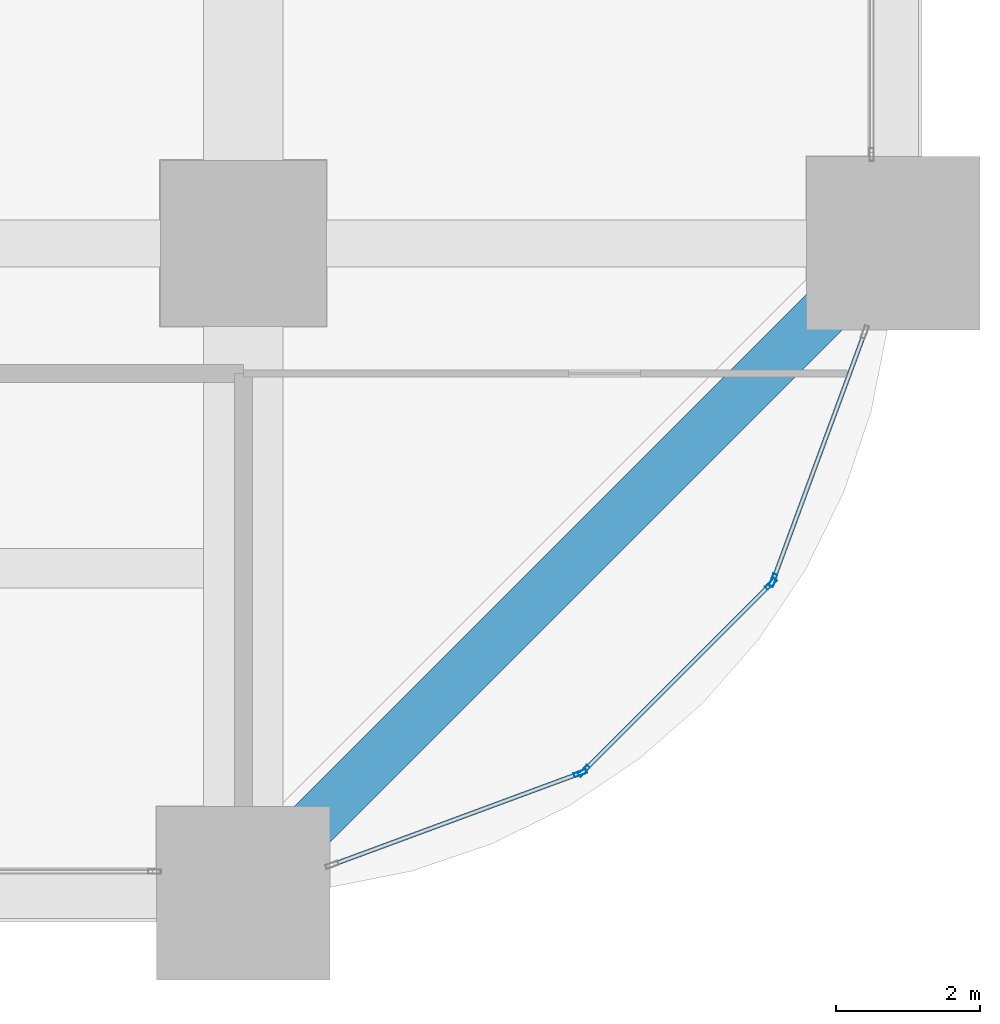
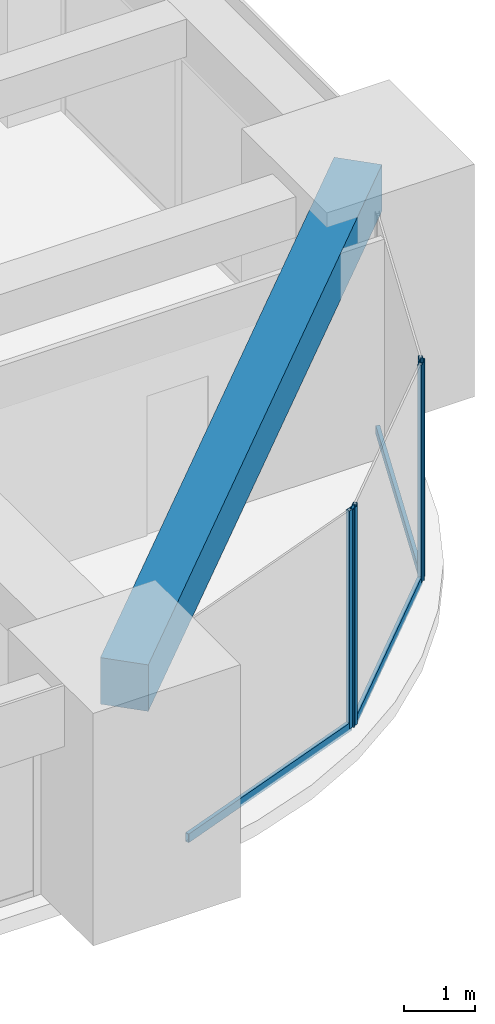
# One storey, part 16 of 44: 7 members, 1 beam, 3 elements without a shape of their own.
"""IFC4 building model written with IfcOpenShell, lengths in metres."""

from ifc_helpers import new_model, si_unit, direction, frame, origin, origin_2d, place, context, subcontext, project, spatial, rectangle, hollow_rectangle, extrude, material, material_profile, profile_set, type_object, element, aggregate, save


model = new_model("IFC4")

# Units and contexts
model_context = context("Model", 3, precision=1e-05, world=origin(), true_north=direction((0.0, 1.0)))
body_context = subcontext(model_context, "Body", "Model", "MODEL_VIEW")
ifc_project = project(units=[si_unit("LENGTHUNIT", "METRE"), si_unit("AREAUNIT", "SQUARE_METRE"), si_unit("VOLUMEUNIT", "CUBIC_METRE"), si_unit("PLANEANGLEUNIT", "RADIAN"), si_unit("MASSUNIT", "GRAM", prefix="KILO")], contexts=[model_context])

# Site, building, storey
site_placement = place(None, origin())
site = spatial("IfcSite", under=ifc_project, at=site_placement, CompositionType="ELEMENT")
building_placement = place(site_placement, origin())
building = spatial("IfcBuilding", under=site, at=building_placement, Name="Zorevar Civic Tower", CompositionType="ELEMENT")
storey_placement = place(building_placement, frame((0.0, 0.0, 35.800048828125)))
storey = spatial("IfcBuildingStorey", under=building, at=storey_placement, Name="L08", CompositionType="ELEMENT", Elevation=35.800048828125)

# Curtain wall, member
ifc_material_1 = material(Name="Dark grey solar-control glass in black aluminium frame", Category="aluminium")
curtain_wall_type = type_object("IfcCurtainWallType", Name="Curtain wall CW2 low zone", PredefinedType="NOTDEFINED", material=ifc_material_1)
curtain_wall_1_placement = place(storey_placement, origin())
curtain_wall_1 = element("IfcCurtainWall", 1, at=curtain_wall_1_placement, inside=storey, type_object=curtain_wall_type, Name="CW2 L08", PredefinedType="NOTDEFINED")
ifc_material_2 = material(Name="Aluminium, black anodised", Category="aluminium")
ifc_material_profile_1 = material_profile(ifc_material_2, hollow_rectangle(XDim=0.06005859375, YDim=0.179931640625, WallThickness=0.00390625, at=origin_2d()), Name="AL 180x60x4")
ifc_profile_set_1 = profile_set([ifc_material_profile_1], Name="Aluminium, black anodised")
member_type_1 = type_object("IfcMemberType", Name="CW2 mullion AL 180x60x4", PredefinedType="MULLION", material=ifc_profile_set_1)
member_1_placement = place(storey_placement, frame((58.66455078125, 1.663818359375, 0.0), z_axis=(0.0, 0.0, 1.0), x_axis=(-0.346704012033, 0.937974588163, 0.0)))
member_1 = element("IfcMember", 2, at=member_1_placement, type_object=member_type_1, Name="CW2 mullion 2", PredefinedType="MULLION", context=body_context, shape_type="SweptSolid", body=[
    extrude(hollow_rectangle(XDim=0.06005859375, YDim=0.179931640625, WallThickness=0.00390625, at=origin_2d()), origin(), (0.0, 0.0, 1.0), 3.75),
])

# Curtain wall, members
curtain_wall_2_placement = place(storey_placement, origin())
curtain_wall_2 = element("IfcCurtainWall", 3, at=curtain_wall_2_placement, inside=storey, type_object=curtain_wall_type, Name="CW2 L08", PredefinedType="NOTDEFINED")
member_2_placement = place(storey_placement, frame((58.7138671875, 1.6953125, 0.0), z_axis=(0.0, 0.0, 1.0), x_axis=(-0.707106781187, 0.707106781187, 0.0)))
member_2 = element("IfcMember", 4, at=member_2_placement, type_object=member_type_1, Name="CW2 mullion 1", PredefinedType="MULLION", context=body_context, shape_type="SweptSolid", body=[
    extrude(hollow_rectangle(XDim=0.06005859375, YDim=0.179931640625, WallThickness=0.00390625, at=origin_2d()), origin(), (0.0, 0.0, 1.0), 3.75),
])
member_3_placement = place(storey_placement, frame((61.3046875, 4.2861328125, 0.0), z_axis=(0.0, 0.0, 1.0), x_axis=(-0.707106781187, 0.707106781187, 0.0)))
member_3 = element("IfcMember", 5, at=member_3_placement, type_object=member_type_1, Name="CW2 mullion 2", PredefinedType="MULLION", context=body_context, shape_type="SweptSolid", body=[
    extrude(hollow_rectangle(XDim=0.06005859375, YDim=0.179931640625, WallThickness=0.00390625, at=origin_2d()), origin(), (0.0, 0.0, 1.0), 3.75),
])

# Curtain wall, member
curtain_wall_3_placement = place(storey_placement, origin())
curtain_wall_3 = element("IfcCurtainWall", 6, at=curtain_wall_3_placement, inside=storey, type_object=curtain_wall_type, Name="CW2 L08", PredefinedType="NOTDEFINED")
member_4_placement = place(storey_placement, frame((61.336181640625, 4.33544921875, 0.0), z_axis=(0.0, 0.0, 1.0), x_axis=(-0.937974588163, 0.346704012033, 0.0)))
member_4 = element("IfcMember", 7, at=member_4_placement, type_object=member_type_1, Name="CW2 mullion 1", PredefinedType="MULLION", context=body_context, shape_type="SweptSolid", body=[
    extrude(hollow_rectangle(XDim=0.06005859375, YDim=0.179931640625, WallThickness=0.00390625, at=origin_2d()), origin(), (0.0, 0.0, 1.0), 3.75),
])

# Member
ifc_material_3 = material(Name="Aluminium, black anodised", Category="aluminium")
ifc_material_profile_2 = material_profile(ifc_material_3, hollow_rectangle(XDim=0.06005859375, YDim=0.14990234375, WallThickness=0.00390625, at=origin_2d()), Name="AL 150x60x4")
ifc_profile_set_2 = profile_set([ifc_material_profile_2], Name="Aluminium, black anodised")
member_type_2 = type_object("IfcMemberType", Name="CW2 transom AL 150x60x4", PredefinedType="USERDEFINED", material=ifc_profile_set_2)
member_5_placement = place(storey_placement, frame((55.25634765625, 0.404052734375, 0.030029296875), z_axis=(0.93798635741, 0.346672169799, 0.0), x_axis=(-0.346672169799, 0.93798635741, 0.0)))
member_5 = element("IfcMember", 8, at=member_5_placement, type_object=member_type_2, Name="CW2 sill transom", ObjectType="TRANSOM", PredefinedType="USERDEFINED", context=body_context, shape_type="SweptSolid", body=[
    extrude(hollow_rectangle(XDim=0.06005859375, YDim=0.14990234375, WallThickness=0.00390625, at=origin_2d()), origin(), (0.0, 0.0, 1.0), 3.603515625),
])

aggregate(curtain_wall_1, [member_1, member_5])

member_6_placement = place(storey_placement, frame((58.735107421875, 1.716552734375, 0.030029296875), z_axis=(0.707106781187, 0.707106781187, 0.0), x_axis=(-0.707106781187, 0.707106781187, 0.0)))
member_6 = element("IfcMember", 9, at=member_6_placement, type_object=member_type_2, Name="CW2 sill transom", ObjectType="TRANSOM", PredefinedType="USERDEFINED", context=body_context, shape_type="SweptSolid", body=[
    extrude(hollow_rectangle(XDim=0.06005859375, YDim=0.14990234375, WallThickness=0.00390625, at=origin_2d()), origin(), (0.0, 0.0, 1.0), 3.60400390625),
])

aggregate(curtain_wall_2, [member_2, member_3, member_6])

member_7_placement = place(storey_placement, frame((61.3466796875, 4.363525390625, 0.030029296875), z_axis=(0.346672169799, 0.93798635741, 0.0), x_axis=(-0.93798635741, 0.346672169799, 0.0)))
member_7 = element("IfcMember", 10, at=member_7_placement, type_object=member_type_2, Name="CW2 sill transom", ObjectType="TRANSOM", PredefinedType="USERDEFINED", context=body_context, shape_type="SweptSolid", body=[
    extrude(hollow_rectangle(XDim=0.06005859375, YDim=0.14990234375, WallThickness=0.00390625, at=origin_2d()), origin(), (0.0, 0.0, 1.0), 3.603515625),
])

aggregate(curtain_wall_3, [member_4, member_7])

# Beam
ifc_material_4 = material(Name="Concrete C50/60", Category="concrete")
ifc_material_profile_3 = material_profile(ifc_material_4, rectangle(XDim=0.699951171875, YDim=0.800048828125, at=origin_2d()), Name="RC 700x800")
ifc_profile_set_3 = profile_set([ifc_material_profile_3], Name="Concrete C50/60")
beam_type = type_object("IfcBeamType", Name="Edge beam RC 700x800", PredefinedType="SPANDREL", material=ifc_profile_set_3)
beam_placement = place(storey_placement, frame((54.0, 0.0, 3.349853515625), z_axis=(0.707106781187, 0.707106781187, 0.0), x_axis=(-0.707106781187, 0.707106781187, 0.0)))
element("IfcBeam", 11, at=beam_placement, inside=storey, type_object=beam_type, Name="Corner edge beam L09", PredefinedType="SPANDREL", context=body_context, shape_type="SweptSolid", body=[
    extrude(rectangle(XDim=0.699951171875, YDim=0.800048828125, at=origin_2d()), origin(), (0.0, 0.0, 1.0), 12.72802734375),
])

save(model, "model.ifc")
